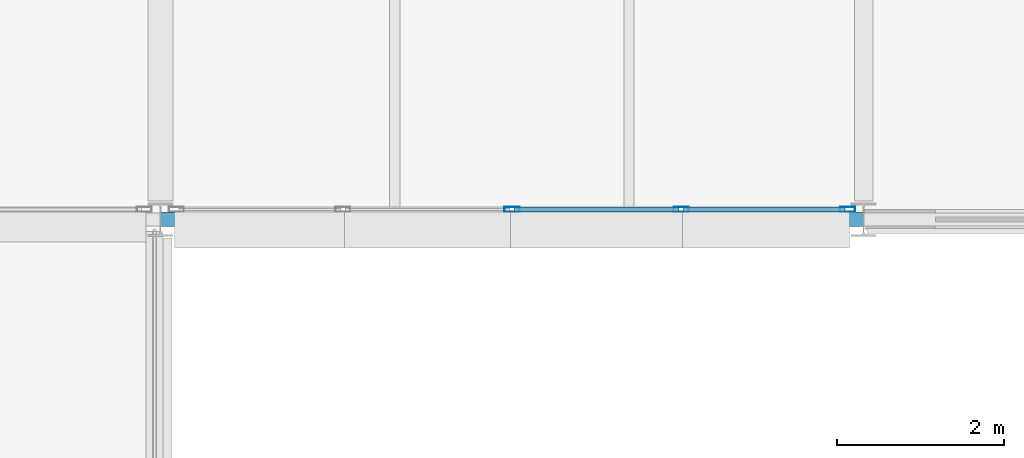
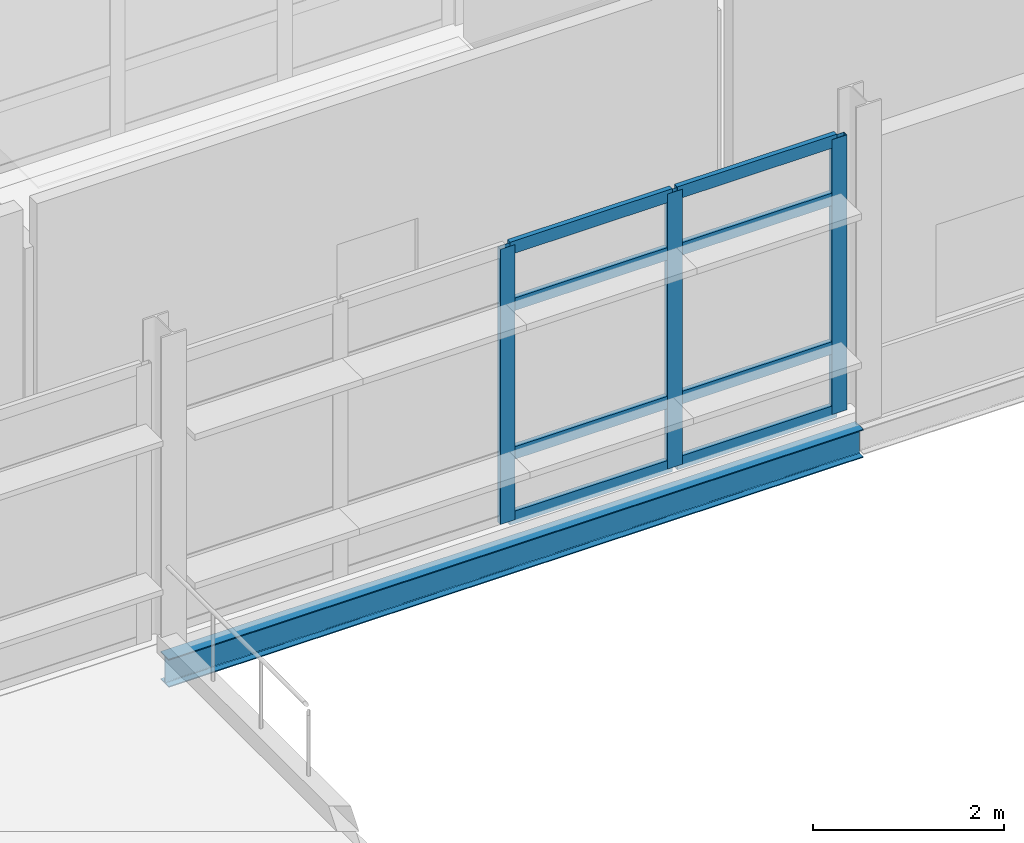
# One storey, part 24 of 66: 11 members, 1 beam, 1 element without a shape of its own.
"""IFC4 building model written with IfcOpenShell, lengths in metres."""

from ifc_helpers import new_model, si_unit, direction, frame, origin, origin_2d, place, context, subcontext, project, spatial, hollow_rectangle, i_section, extrude, material, material_profile, profile_set, type_object, element, aggregate, save


model = new_model("IFC4")

# Units and contexts
model_context = context("Model", 3, precision=1e-05, world=origin(), true_north=direction((0.0, 1.0)))
body_context = subcontext(model_context, "Body", "Model", "MODEL_VIEW")
ifc_project = project(units=[si_unit("LENGTHUNIT", "METRE"), si_unit("AREAUNIT", "SQUARE_METRE"), si_unit("VOLUMEUNIT", "CUBIC_METRE"), si_unit("PLANEANGLEUNIT", "RADIAN"), si_unit("MASSUNIT", "GRAM", prefix="KILO")], contexts=[model_context])

# Site, building, storey
site_placement = place(None, origin())
site = spatial("IfcSite", under=ifc_project, at=site_placement, CompositionType="ELEMENT")
building_placement = place(site_placement, origin())
building = spatial("IfcBuilding", under=site, at=building_placement, Name="Mersafa Astral City Hall", CompositionType="ELEMENT")
storey_placement = place(building_placement, frame((0.0, 0.0, 22.050048828125)))
storey = spatial("IfcBuildingStorey", under=building, at=storey_placement, Name="L05", CompositionType="ELEMENT", Elevation=22.050048828125)

# Curtain wall, members
ifc_material_1 = material(Name="Anodised bronze aluminium framing", Category="aluminium")
curtain_wall_type = type_object("IfcCurtainWallType", Name="ENV-CW-1", PredefinedType="USERDEFINED", material=ifc_material_1)
curtain_wall_placement = place(storey_placement, origin())
curtain_wall = element("IfcCurtainWall", 1, at=curtain_wall_placement, inside=storey, type_object=curtain_wall_type, Name="L05 Unitised solar curtain wall 240", ObjectType="UNITISED CURTAIN WALL", PredefinedType="USERDEFINED")
ifc_material_profile_1 = material_profile(ifc_material_1, hollow_rectangle(XDim=0.06005859375, YDim=0.179931640625, WallThickness=0.00390625, at=origin_2d()), Name="RHS 60x180x4")
ifc_profile_set_1 = profile_set([ifc_material_profile_1], Name="Anodised bronze aluminium framing")
member_type_1 = type_object("IfcMemberType", Name="ENV-CW-MUL-1", PredefinedType="MULLION", material=ifc_profile_set_1)
member_1_placement = place(storey_placement, frame((121.800048828125, 117.719970703125, -0.001953125), z_axis=(0.0, 0.0, 1.0), x_axis=(0.0, 1.0, 0.0)))
member_1 = element("IfcMember", 2, at=member_1_placement, type_object=member_type_1, Name="CW-1 mullion 3", PredefinedType="MULLION", context=body_context, shape_type="SweptSolid", body=[
    extrude(hollow_rectangle(XDim=0.06005859375, YDim=0.179931640625, WallThickness=0.00390625, at=origin_2d()), origin(), (0.0, 0.0, 1.0), 3.513916015625),
])
member_2_placement = place(storey_placement, frame((123.819091796875, 117.719970703125, -0.001953125), z_axis=(0.0, 0.0, 1.0), x_axis=(0.0, 1.0, 0.0)))
member_2 = element("IfcMember", 3, at=member_2_placement, type_object=member_type_1, Name="CW-1 mullion 4", PredefinedType="MULLION", context=body_context, shape_type="SweptSolid", body=[
    extrude(hollow_rectangle(XDim=0.06005859375, YDim=0.179931640625, WallThickness=0.00390625, at=origin_2d()), origin(), (0.0, 0.0, 1.0), 3.513916015625),
])
member_3_placement = place(storey_placement, frame((125.80810546875, 117.719970703125, -0.001953125), z_axis=(0.0, 0.0, 1.0), x_axis=(0.0, 1.0, 0.0)))
member_3 = element("IfcMember", 4, at=member_3_placement, type_object=member_type_1, Name="CW-1 mullion 5", PredefinedType="MULLION", context=body_context, shape_type="SweptSolid", body=[
    extrude(hollow_rectangle(XDim=0.06005859375, YDim=0.179931640625, WallThickness=0.00390625, at=origin_2d()), origin(), (0.0, 0.0, 1.0), 3.513916015625),
])
ifc_material_profile_2 = material_profile(ifc_material_1, hollow_rectangle(XDim=0.06005859375, YDim=0.159912109375, WallThickness=0.00390625, at=origin_2d()), Name="RHS 60x160x4")
ifc_profile_set_2 = profile_set([ifc_material_profile_2], Name="Anodised bronze aluminium framing")
member_type_2 = type_object("IfcMemberType", Name="ENV-CW-TRN-2", PredefinedType="USERDEFINED", material=ifc_profile_set_2)
member_4_placement = place(storey_placement, frame((121.830078125, 117.719970703125, 0.02783203125), z_axis=(1.0, 0.0, 0.0), x_axis=(0.0, 1.0, 0.0)))
member_4 = element("IfcMember", 5, at=member_4_placement, type_object=member_type_2, Name="CW-1 transom 3.1", ObjectType="TRANSOM", PredefinedType="USERDEFINED", context=body_context, shape_type="SweptSolid", body=[
    extrude(hollow_rectangle(XDim=0.06005859375, YDim=0.159912109375, WallThickness=0.00390625, at=origin_2d()), origin(), (0.0, 0.0, 1.0), 1.958984375),
])
member_5_placement = place(storey_placement, frame((121.830078125, 117.719970703125, 0.849853515625), z_axis=(1.0, 0.0, 0.0), x_axis=(0.0, 1.0, 0.0)))
member_5 = element("IfcMember", 6, at=member_5_placement, type_object=member_type_2, Name="CW-1 transom 3.2", ObjectType="TRANSOM", PredefinedType="USERDEFINED", context=body_context, shape_type="SweptSolid", body=[
    extrude(hollow_rectangle(XDim=0.06005859375, YDim=0.159912109375, WallThickness=0.00390625, at=origin_2d()), origin(), (0.0, 0.0, 1.0), 1.958984375),
])
member_6_placement = place(storey_placement, frame((121.830078125, 117.719970703125, 2.75), z_axis=(1.0, 0.0, 0.0), x_axis=(0.0, 1.0, 0.0)))
member_6 = element("IfcMember", 7, at=member_6_placement, type_object=member_type_2, Name="CW-1 transom 3.3", ObjectType="TRANSOM", PredefinedType="USERDEFINED", context=body_context, shape_type="SweptSolid", body=[
    extrude(hollow_rectangle(XDim=0.06005859375, YDim=0.159912109375, WallThickness=0.00390625, at=origin_2d()), origin(), (0.0, 0.0, 1.0), 1.958984375),
])
member_7_placement = place(storey_placement, frame((121.830078125, 117.719970703125, 3.48193359375), z_axis=(1.0, 0.0, 0.0), x_axis=(0.0, 1.0, 0.0)))
member_7 = element("IfcMember", 8, at=member_7_placement, type_object=member_type_2, Name="CW-1 transom 3.4", ObjectType="TRANSOM", PredefinedType="USERDEFINED", context=body_context, shape_type="SweptSolid", body=[
    extrude(hollow_rectangle(XDim=0.06005859375, YDim=0.159912109375, WallThickness=0.00390625, at=origin_2d()), origin(), (0.0, 0.0, 1.0), 1.958984375),
])
member_8_placement = place(storey_placement, frame((123.84912109375, 117.719970703125, 0.02783203125), z_axis=(1.0, 0.0, 0.0), x_axis=(0.0, 1.0, 0.0)))
member_8 = element("IfcMember", 9, at=member_8_placement, type_object=member_type_2, Name="CW-1 transom 4.1", ObjectType="TRANSOM", PredefinedType="USERDEFINED", context=body_context, shape_type="SweptSolid", body=[
    extrude(hollow_rectangle(XDim=0.06005859375, YDim=0.159912109375, WallThickness=0.00390625, at=origin_2d()), origin(), (0.0, 0.0, 1.0), 1.928955078125),
])
member_9_placement = place(storey_placement, frame((123.84912109375, 117.719970703125, 0.849853515625), z_axis=(1.0, 0.0, 0.0), x_axis=(0.0, 1.0, 0.0)))
member_9 = element("IfcMember", 10, at=member_9_placement, type_object=member_type_2, Name="CW-1 transom 4.2", ObjectType="TRANSOM", PredefinedType="USERDEFINED", context=body_context, shape_type="SweptSolid", body=[
    extrude(hollow_rectangle(XDim=0.06005859375, YDim=0.159912109375, WallThickness=0.00390625, at=origin_2d()), origin(), (0.0, 0.0, 1.0), 1.928955078125),
])
member_10_placement = place(storey_placement, frame((123.84912109375, 117.719970703125, 2.75), z_axis=(1.0, 0.0, 0.0), x_axis=(0.0, 1.0, 0.0)))
member_10 = element("IfcMember", 11, at=member_10_placement, type_object=member_type_2, Name="CW-1 transom 4.3", ObjectType="TRANSOM", PredefinedType="USERDEFINED", context=body_context, shape_type="SweptSolid", body=[
    extrude(hollow_rectangle(XDim=0.06005859375, YDim=0.159912109375, WallThickness=0.00390625, at=origin_2d()), origin(), (0.0, 0.0, 1.0), 1.928955078125),
])
member_11_placement = place(storey_placement, frame((123.84912109375, 117.719970703125, 3.48193359375), z_axis=(1.0, 0.0, 0.0), x_axis=(0.0, 1.0, 0.0)))
member_11 = element("IfcMember", 12, at=member_11_placement, type_object=member_type_2, Name="CW-1 transom 4.4", ObjectType="TRANSOM", PredefinedType="USERDEFINED", context=body_context, shape_type="SweptSolid", body=[
    extrude(hollow_rectangle(XDim=0.06005859375, YDim=0.159912109375, WallThickness=0.00390625, at=origin_2d()), origin(), (0.0, 0.0, 1.0), 1.928955078125),
])
aggregate(curtain_wall, [member_1, member_2, member_3, member_4, member_5, member_6, member_7, member_8, member_9, member_10, member_11])

# Beam
ifc_material_2 = material(Name="Steel S355", Category="steel")
ifc_material_profile_3 = material_profile(ifc_material_2, i_section(OverallWidth=0.169921875, OverallDepth=0.360107421875, WebThickness=0.008056640625, FlangeThickness=0.0126953125, FilletRadius=0.01806640625, at=origin_2d()), Name="IPE 360")
ifc_profile_set_3 = profile_set([ifc_material_profile_3], Name="Steel S355")
beam_type = type_object("IfcBeamType", Name="STR-BM-SPANDREL-IPE360", PredefinedType="SPANDREL", material=ifc_profile_set_3)
beam_placement = place(storey_placement, frame((117.60302734375, 117.60009765625, -0.360107421875), z_axis=(1.0, 0.0, 0.0), x_axis=(0.0, 1.0, 0.0)))
element("IfcBeam", 13, at=beam_placement, inside=storey, type_object=beam_type, Name="L05 Primary girder X 14-14", PredefinedType="SPANDREL", context=body_context, shape_type="SweptSolid", body=[
    extrude(i_section(OverallWidth=0.169921875, OverallDepth=0.360107421875, WebThickness=0.008056640625, FlangeThickness=0.0126953125, FilletRadius=0.01806640625, at=origin_2d()), origin(), (0.0, 0.0, 1.0), 8.39404296875),
])

save(model, "model.ifc")
